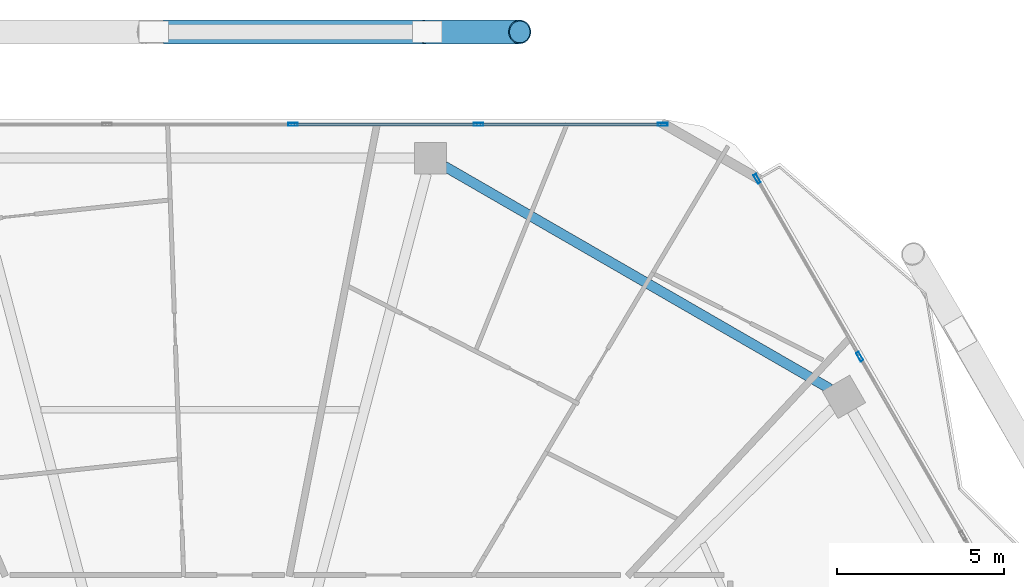
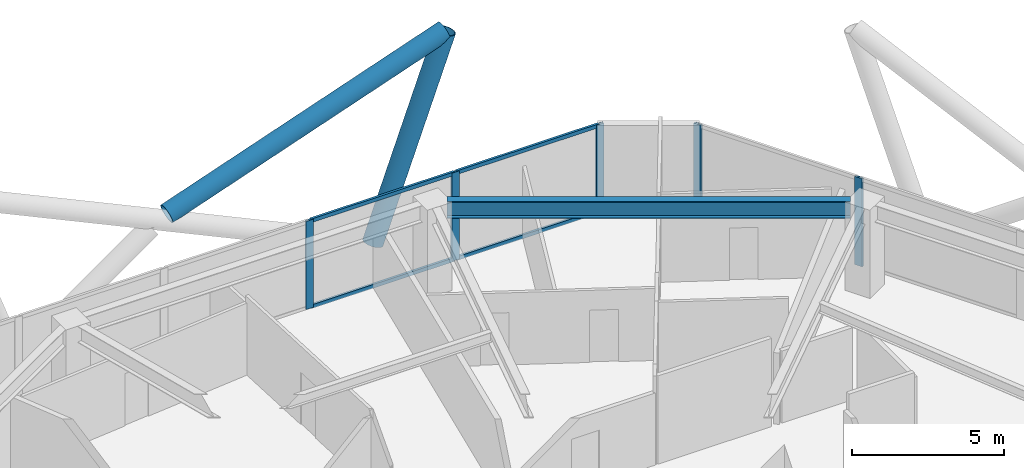
# One storey, part 17 of 27: 11 members, 1 beam, 2 elements without a shape of their own.
"""IFC4 building model written with IfcOpenShell, lengths in metres."""

import ifcopenshell
import ifcopenshell.guid

model = None  # the IFC model being written
_history = None  # IfcOwnerHistory: only IFC2X3 demands one
_inside = {}  # id of a spatial element -> (the spatial element, [elements in it])
_under = {}  # id of a project, library or spatial element -> (it, [spatial elements below it])
_declared = {}  # id of a project -> (the project, [libraries it declares])
_typed = {}  # id of a type object -> (the type object, [elements of that type])
_made_of = {}  # id of a material, layer set ... -> (it, [elements and type objects made of it])


def new_model(schema):
    """Start an empty IFC model of exactly this schema.

    Asked for "IFC4X3", IfcOpenShell would pick the latest addendum, in which some entities
    have other attributes; the version numbers below select the first issue.
    IFC2X3 requires an IfcOwnerHistory on every rooted entity: one is made here for all.
    """
    global model, _history
    if schema == "IFC4X3":
        model = ifcopenshell.file(schema_version=(4, 3, 0, 0))
    else:
        model = ifcopenshell.file(schema=schema)
    _inside.clear()
    _under.clear()
    _declared.clear()
    _typed.clear()
    _made_of.clear()
    _history = None
    if model.schema == "IFC2X3":
        org = make("IfcOrganization", Name="unknown")
        user = make(
            "IfcPersonAndOrganization",
            ThePerson=make("IfcPerson", FamilyName="unknown"),
            TheOrganization=org,
        )
        app = make(
            "IfcApplication",
            ApplicationDeveloper=org,
            Version="unknown",
            ApplicationFullName="unknown",
            ApplicationIdentifier="unknown",
        )
        _history = make(
            "IfcOwnerHistory",
            OwningUser=user,
            OwningApplication=app,
            ChangeAction="ADDED",
            CreationDate=0,
        )
    return model


def make(cls, **values):
    """One entity of the class cls with the attributes given. An attribute that is None is left unset."""
    return model.create_entity(
        cls, **{name: value for name, value in values.items() if value is not None}
    )


def rooted(cls, **values):
    """An entity with a GlobalId (a new one), such as an element, a storey or a relation."""
    return make(cls, GlobalId=ifcopenshell.guid.new(), OwnerHistory=_history, **values)


def si_unit(unit_type, name, prefix=None):
    """IfcSIUnit, for example si_unit("LENGTHUNIT", "METRE", prefix="MILLI")."""
    return make("IfcSIUnit", UnitType=unit_type, Prefix=prefix, Name=name)


def assignment(units):
    """IfcUnitAssignment: the units of a project."""
    return None if units is None else make("IfcUnitAssignment", Units=units)


def point(xyz):
    """IfcCartesianPoint."""
    return None if xyz is None else make("IfcCartesianPoint", Coordinates=xyz)


def direction(xyz):
    """IfcDirection."""
    return None if xyz is None else make("IfcDirection", DirectionRatios=xyz)


def frame(location, z_axis=None, x_axis=None):
    """IfcAxis2Placement3D, a coordinate frame: its origin and axes. An axis left out is left unset."""
    return make(
        "IfcAxis2Placement3D",
        Location=point(location),
        Axis=direction(z_axis),
        RefDirection=direction(x_axis),
    )


def frame_2d(location, x_axis=None):
    """IfcAxis2Placement2D, a coordinate frame in the plane: its origin and x axis."""
    return make(
        "IfcAxis2Placement2D", Location=point(location), RefDirection=direction(x_axis)
    )


def origin():
    """The frame at (0, 0, 0) with its axes left unset."""
    return frame((0.0, 0.0, 0.0))


def origin_2d():
    """The frame at (0, 0) in the plane with its x axis left unset."""
    return frame_2d((0.0, 0.0))


def place(relative_to, where):
    """IfcLocalPlacement: puts the frame where relative to a parent placement (None: the world)."""
    return make(
        "IfcLocalPlacement", PlacementRelTo=relative_to, RelativePlacement=where
    )


def context(
    kind, dimensions, precision=None, world=None, true_north=None, identifier=None
):
    """IfcGeometricRepresentationContext, for example the 3D "Model" context."""
    return make(
        "IfcGeometricRepresentationContext",
        ContextIdentifier=identifier,
        ContextType=kind,
        CoordinateSpaceDimension=dimensions,
        Precision=precision,
        WorldCoordinateSystem=world,
        TrueNorth=true_north,
    )


def subcontext(parent, identifier, kind, view, scale=None):
    """IfcGeometricRepresentationSubContext, for example "Body" below "Model"."""
    return make(
        "IfcGeometricRepresentationSubContext",
        ContextIdentifier=identifier,
        ContextType=kind,
        ParentContext=parent,
        TargetScale=scale,
        TargetView=view,
    )


def project(units=None, contexts=None):
    """IfcProject with its units and contexts."""
    return rooted(
        "IfcProject",
        Name="project",
        RepresentationContexts=contexts,
        UnitsInContext=assignment(units),
    )


def spatial(cls, under=None, at=None, **own):
    """A site, building, storey or space (cls), placed at a placement, below another one or the project."""
    s = rooted(cls, ObjectPlacement=at, **own)
    if under is not None:
        _under.setdefault(under.id(), (under, []))[1].append(s)
    return s


def profile(cls, at=None, kind="AREA", **sizes):
    """A parametric profile (cls). Its sizes go by their IFC names, for example OverallWidth=200.0."""
    return make(cls, ProfileType=kind, Position=at, **sizes)


def hollow_rectangle(**sizes):
    """IfcRectangleHollowProfileDef."""
    return profile("IfcRectangleHollowProfileDef", **sizes)


def hollow_circle(**sizes):
    """IfcCircleHollowProfileDef."""
    return profile("IfcCircleHollowProfileDef", **sizes)


def i_section(**sizes):
    """IfcIShapeProfileDef."""
    return profile("IfcIShapeProfileDef", **sizes)


def extrude(swept, where, along, depth):
    """IfcExtrudedAreaSolid: the profile swept, set in the frame where, extruded along a direction by depth."""
    return make(
        "IfcExtrudedAreaSolid",
        SweptArea=swept,
        Position=where,
        ExtrudedDirection=direction(along),
        Depth=depth,
    )


def shape(context_of_items, identifier, shape_type, items):
    """IfcShapeRepresentation: the items that make up one representation, for example the "Body"."""
    return make(
        "IfcShapeRepresentation",
        ContextOfItems=context_of_items,
        RepresentationIdentifier=identifier,
        RepresentationType=shape_type,
        Items=items,
    )


def material(Name=None, Category=None):
    """IfcMaterial."""
    return make("IfcMaterial", Name=Name, Category=Category)


def material_profile(
    of_material, cross_section, Name=None, Category=None, Priority=None
):
    """IfcMaterialProfile: a cross section and its material."""
    return make(
        "IfcMaterialProfile",
        Name=Name,
        Material=of_material,
        Profile=cross_section,
        Priority=Priority,
        Category=Category,
    )


def profile_set(profiles, Name=None, composite=None):
    """IfcMaterialProfileSet."""
    return make(
        "IfcMaterialProfileSet",
        Name=Name,
        MaterialProfiles=profiles,
        CompositeProfile=composite,
    )


def made_of(thing, what):
    """Note that an element or type object is made of a material, layer set ...; save() writes the relation."""
    if what is not None:
        _made_of.setdefault(what.id(), (what, []))[1].append(thing)
    return thing


def type_object(cls, material=None, **own):
    """A type object (cls), such as IfcWallType, which elements share."""
    return made_of(rooted(cls, **own), material)


def element(
    cls,
    number,
    at=None,
    inside=None,
    cuts=None,
    type_object=None,
    material=None,
    context=None,
    identifier="Body",
    shape_type=None,
    held_by="IfcProductDefinitionShape",
    body=None,
    shapes=None,
    **own,
):
    """One element of the class cls, such as IfcWall. Its Tag is "e" and its number.

    at: its placement. inside: the storey or other place that contains it. cuts: it is an
    opening in that element (IfcRelVoidsElement). A single representation is given by context,
    identifier, shape_type and body (its items); several are given by shapes. held_by: the class
    of the entity that holds the representations. save() writes the other relations.
    """
    e = rooted(cls, Tag="e%d" % number, ObjectPlacement=at, **own)
    if body is not None:
        shapes = [shape(context, identifier, shape_type, body)]
    if shapes is not None:
        e.Representation = make(held_by, Representations=shapes)
    if inside is not None:
        _inside.setdefault(inside.id(), (inside, []))[1].append(e)
    if cuts is not None:
        rooted(
            "IfcRelVoidsElement", RelatingBuildingElement=cuts, RelatedOpeningElement=e
        )
    if type_object is not None:
        _typed.setdefault(type_object.id(), (type_object, []))[1].append(e)
    return made_of(e, material)


def aggregate(whole, parts):
    """IfcRelAggregates: a whole, such as a stair, and the parts it consists of."""
    return rooted("IfcRelAggregates", RelatingObject=whole, RelatedObjects=parts)


def save(model, path):
    """Write the relations noted so far, then the file.

    IfcRelAggregates (storeys below a building ...), IfcRelContainedInSpatialStructure (elements
    in a storey), IfcRelDefinesByType, IfcRelAssociatesMaterial and IfcRelDeclares: one each for
    every whole, place, type object, material and project.
    """
    for whole, parts in _under.values():
        aggregate(whole, parts)
    for where, things in _inside.values():
        rooted(
            "IfcRelContainedInSpatialStructure",
            RelatedElements=things,
            RelatingStructure=where,
        )
    for kind, things in _typed.values():
        rooted("IfcRelDefinesByType", RelatedObjects=things, RelatingType=kind)
    for what, things in _made_of.values():
        rooted("IfcRelAssociatesMaterial", RelatedObjects=things, RelatingMaterial=what)
    for by, libraries in _declared.values():
        rooted("IfcRelDeclares", RelatingContext=by, RelatedDefinitions=libraries)
    model.write(path)


model = new_model("IFC4")

# Units and contexts
model_context = context("Model", 3, precision=1e-05, world=origin(), true_north=direction((0.0, 1.0)))
body_context = subcontext(model_context, "Body", "Model", "MODEL_VIEW")
ifc_project = project(units=[si_unit("LENGTHUNIT", "METRE"), si_unit("AREAUNIT", "SQUARE_METRE"), si_unit("VOLUMEUNIT", "CUBIC_METRE"), si_unit("PLANEANGLEUNIT", "RADIAN"), si_unit("MASSUNIT", "GRAM", prefix="KILO")], contexts=[model_context])

# Site, building, storey
site_placement = place(None, origin())
site = spatial("IfcSite", under=ifc_project, at=site_placement, CompositionType="ELEMENT")
building_placement = place(site_placement, origin())
building = spatial("IfcBuilding", under=site, at=building_placement, Name="Zuhravey Tower", CompositionType="ELEMENT")
storey_placement = place(building_placement, frame((0.0, 0.0, 215.0)))
storey = spatial("IfcBuildingStorey", under=building, at=storey_placement, Name="L54", CompositionType="ELEMENT", Elevation=215.0)

# Curtain wall, members
ifc_material_1 = material(Name="Thermally broken anodised aluminium", Category="aluminium")
curtain_wall_type = type_object("IfcCurtainWallType", Name="Zone 1-2 Residential Curtain Wall CW3", PredefinedType="NOTDEFINED", material=ifc_material_1)
curtain_wall_1_placement = place(storey_placement, origin())
curtain_wall_1 = element("IfcCurtainWall", 1, at=curtain_wall_1_placement, inside=storey, type_object=curtain_wall_type, Name="L54 CW3 CW-L54-F2-1", PredefinedType="NOTDEFINED")
ifc_material_2 = material(Name="Anodised aluminium", Category="aluminium")
ifc_material_profile_1 = material_profile(ifc_material_2, hollow_rectangle(XDim=0.090087890625, YDim=0.284912109375, WallThickness=0.0048828125, at=origin_2d()), Name="ALU-RHS-90x285x5")
ifc_profile_set_1 = profile_set([ifc_material_profile_1], Name="Anodised aluminium")
member_type_1 = type_object("IfcMemberType", Name="Curtain-Wall Mullion 90x180", PredefinedType="MULLION", material=ifc_profile_set_1)
member_1_placement = place(storey_placement, frame((38.772216796875, 59.18310546875, 0.0), z_axis=(0.0, 0.0, 1.0), x_axis=(0.0, 1.0, 0.0)))
member_1 = element("IfcMember", 2, at=member_1_placement, type_object=member_type_1, Name="CW3 mullion 4", PredefinedType="MULLION", context=body_context, shape_type="SweptSolid", body=[
    extrude(hollow_rectangle(XDim=0.090087890625, YDim=0.284912109375, WallThickness=0.0048828125, at=origin_2d()), origin(), (0.0, 0.0, 1.0), 3.550048828125),
])
member_2_placement = place(storey_placement, frame((44.316650390625, 59.18310546875, 0.0), z_axis=(0.0, 0.0, 1.0), x_axis=(0.0, 1.0, 0.0)))
member_2 = element("IfcMember", 3, at=member_2_placement, type_object=member_type_1, Name="CW3 mullion 5", PredefinedType="MULLION", context=body_context, shape_type="SweptSolid", body=[
    extrude(hollow_rectangle(XDim=0.090087890625, YDim=0.284912109375, WallThickness=0.0048828125, at=origin_2d()), origin(), (0.0, 0.0, 1.0), 3.550048828125),
])
member_3_placement = place(storey_placement, frame((49.816162109375, 59.18310546875, 0.0), z_axis=(0.0, 0.0, 1.0), x_axis=(0.0, 1.0, 0.0)))
member_3 = element("IfcMember", 4, at=member_3_placement, type_object=member_type_1, Name="CW3 mullion 6", PredefinedType="MULLION", context=body_context, shape_type="SweptSolid", body=[
    extrude(hollow_rectangle(XDim=0.090087890625, YDim=0.284912109375, WallThickness=0.0048828125, at=origin_2d()), origin(), (0.0, 0.0, 1.0), 3.550048828125),
])

curtain_wall_2_placement = place(storey_placement, origin())
curtain_wall_2 = element("IfcCurtainWall", 5, at=curtain_wall_2_placement, inside=storey, type_object=curtain_wall_type, Name="L54 CW3 CW-L54-F1-1", PredefinedType="NOTDEFINED")
member_4_placement = place(storey_placement, frame((52.63330078125, 57.556640625, 0.0), z_axis=(0.0, 0.0, 1.0), x_axis=(0.866024437883, 0.500001672987, 0.0)))
member_4 = element("IfcMember", 6, at=member_4_placement, type_object=member_type_1, Name="CW3 mullion 1", PredefinedType="MULLION", context=body_context, shape_type="SweptSolid", body=[
    extrude(hollow_rectangle(XDim=0.090087890625, YDim=0.284912109375, WallThickness=0.0048828125, at=origin_2d()), origin(), (0.0, 0.0, 1.0), 3.550048828125),
])
member_5_placement = place(storey_placement, frame((55.697998046875, 52.248291015625, 0.0), z_axis=(0.0, 0.0, 1.0), x_axis=(0.866024437883, 0.500001672987, 0.0)))
member_5 = element("IfcMember", 7, at=member_5_placement, type_object=member_type_1, Name="CW3 mullion 2", PredefinedType="MULLION", context=body_context, shape_type="SweptSolid", body=[
    extrude(hollow_rectangle(XDim=0.090087890625, YDim=0.284912109375, WallThickness=0.0048828125, at=origin_2d()), origin(), (0.0, 0.0, 1.0), 3.550048828125),
])
aggregate(curtain_wall_2, [member_4, member_5])

# Member
ifc_material_profile_2 = material_profile(ifc_material_2, hollow_rectangle(XDim=0.090087890625, YDim=0.14990234375, WallThickness=0.0048828125, at=origin_2d()), Name="ALU-RHS-90x150x5")
ifc_profile_set_2 = profile_set([ifc_material_profile_2], Name="Anodised aluminium")
member_type_2 = type_object("IfcMemberType", Name="Curtain-Wall Transom 90x150", PredefinedType="USERDEFINED", material=ifc_profile_set_2)
member_6_placement = place(storey_placement, frame((38.817138671875, 59.18310546875, 0.044921875), z_axis=(1.0, 0.0, 0.0), x_axis=(0.0, 1.0, 0.0)))
member_6 = element("IfcMember", 8, at=member_6_placement, type_object=member_type_2, Name="CW3 transom 4.1", ObjectType="TRANSOM", PredefinedType="USERDEFINED", context=body_context, shape_type="SweptSolid", body=[
    extrude(hollow_rectangle(XDim=0.090087890625, YDim=0.14990234375, WallThickness=0.0048828125, at=origin_2d()), origin(), (0.0, 0.0, 1.0), 5.45458984375),
])

member_7_placement = place(storey_placement, frame((38.817138671875, 59.18310546875, 3.5048828125), z_axis=(1.0, 0.0, 0.0), x_axis=(0.0, 1.0, 0.0)))
member_7 = element("IfcMember", 9, at=member_7_placement, type_object=member_type_2, Name="CW3 transom 4.2", ObjectType="TRANSOM", PredefinedType="USERDEFINED", context=body_context, shape_type="SweptSolid", body=[
    extrude(hollow_rectangle(XDim=0.090087890625, YDim=0.14990234375, WallThickness=0.0048828125, at=origin_2d()), origin(), (0.0, 0.0, 1.0), 5.45458984375),
])

member_8_placement = place(storey_placement, frame((44.361572265625, 59.18310546875, 0.044921875), z_axis=(1.0, 0.0, 0.0), x_axis=(0.0, 1.0, 0.0)))
member_8 = element("IfcMember", 10, at=member_8_placement, type_object=member_type_2, Name="CW3 transom 5.1", ObjectType="TRANSOM", PredefinedType="USERDEFINED", context=body_context, shape_type="SweptSolid", body=[
    extrude(hollow_rectangle(XDim=0.090087890625, YDim=0.14990234375, WallThickness=0.0048828125, at=origin_2d()), origin(), (0.0, 0.0, 1.0), 5.409423828125),
])

member_9_placement = place(storey_placement, frame((44.361572265625, 59.18310546875, 3.5048828125), z_axis=(1.0, 0.0, 0.0), x_axis=(0.0, 1.0, 0.0)))
member_9 = element("IfcMember", 11, at=member_9_placement, type_object=member_type_2, Name="CW3 transom 5.2", ObjectType="TRANSOM", PredefinedType="USERDEFINED", context=body_context, shape_type="SweptSolid", body=[
    extrude(hollow_rectangle(XDim=0.090087890625, YDim=0.14990234375, WallThickness=0.0048828125, at=origin_2d()), origin(), (0.0, 0.0, 1.0), 5.409423828125),
])

aggregate(curtain_wall_1, [member_1, member_2, member_3, member_6, member_7, member_8, member_9])

# Members
ifc_material_3 = material(Name="Steel SM460", Category="steel")
ifc_material_profile_3 = material_profile(ifc_material_3, hollow_circle(Radius=0.355712890625, WallThickness=0.031982421875, at=origin_2d()), Name="CHS-711.2x32")
ifc_profile_set_3 = profile_set([ifc_material_profile_3], Name="Steel SM460")
member_type_3 = type_object("IfcMemberType", Name="Exoskeleton Zone 2 Diagrid CHS711x32", PredefinedType="BRACE", material=ifc_profile_set_3)
member_10_placement = place(storey_placement, frame((42.788330078125, 61.943115234375, -0.444091796875), z_axis=(0.342858392965, 0.0, 0.939387099323), x_axis=(0.0, 1.0, 0.0)))
element("IfcMember", 12, at=member_10_placement, inside=storey, type_object=member_type_3, Name="L54 Face 2 Diagrid Brace 1", PredefinedType="BRACE", context=body_context, shape_type="SweptSolid", body=[
    extrude(hollow_circle(Radius=0.355712890625, WallThickness=0.031982421875, at=origin_2d()), origin(), (0.0, 0.0, 1.0), 8.0478515625),
])
member_11_placement = place(storey_placement, frame((34.939453125, 61.943115234375, 3.449462890625), z_axis=(0.944660330241, 0.0, 0.328050088353), x_axis=(0.0, 1.0, 0.0)))
element("IfcMember", 13, at=member_11_placement, inside=storey, type_object=member_type_3, Name="L54 Face 2 Split Diagrid Brace 3B", PredefinedType="BRACE", context=body_context, shape_type="SweptSolid", body=[
    extrude(hollow_circle(Radius=0.355712890625, WallThickness=0.031982421875, at=origin_2d()), origin(), (0.0, 0.0, 1.0), 11.18994140625),
])

# Beam
ifc_material_4 = material(Name="Steel SM355", Category="steel")
ifc_material_profile_4 = material_profile(ifc_material_4, i_section(OverallWidth=0.300048828125, OverallDepth=0.679931640625, WebThickness=0.012939453125, FlangeThickness=0.02197265625, at=origin_2d()), Name="H-680x300x13x22")
ifc_profile_set_4 = profile_set([ifc_material_profile_4], Name="Steel SM355")
beam_type = type_object("IfcBeamType", Name="Perimeter Ring Beam H680x300", PredefinedType="BEAM", material=ifc_profile_set_4)
beam_placement = place(storey_placement, frame((54.8115234375, 51.28564453125, 3.2099609375), z_axis=(-0.866029041019, 0.499993700073, 0.0), x_axis=(-0.499993700073, -0.866029041019, 0.0)))
element("IfcBeam", 14, at=beam_placement, inside=storey, type_object=beam_type, Name="L54 PB2 BM-L54-PB-02", PredefinedType="BEAM", context=body_context, shape_type="SweptSolid", body=[
    extrude(i_section(OverallWidth=0.300048828125, OverallDepth=0.679931640625, WebThickness=0.012939453125, FlangeThickness=0.02197265625, at=origin_2d()), origin(), (0.0, 0.0, 1.0), 13.297119140625),
])

save(model, "model.ifc")
